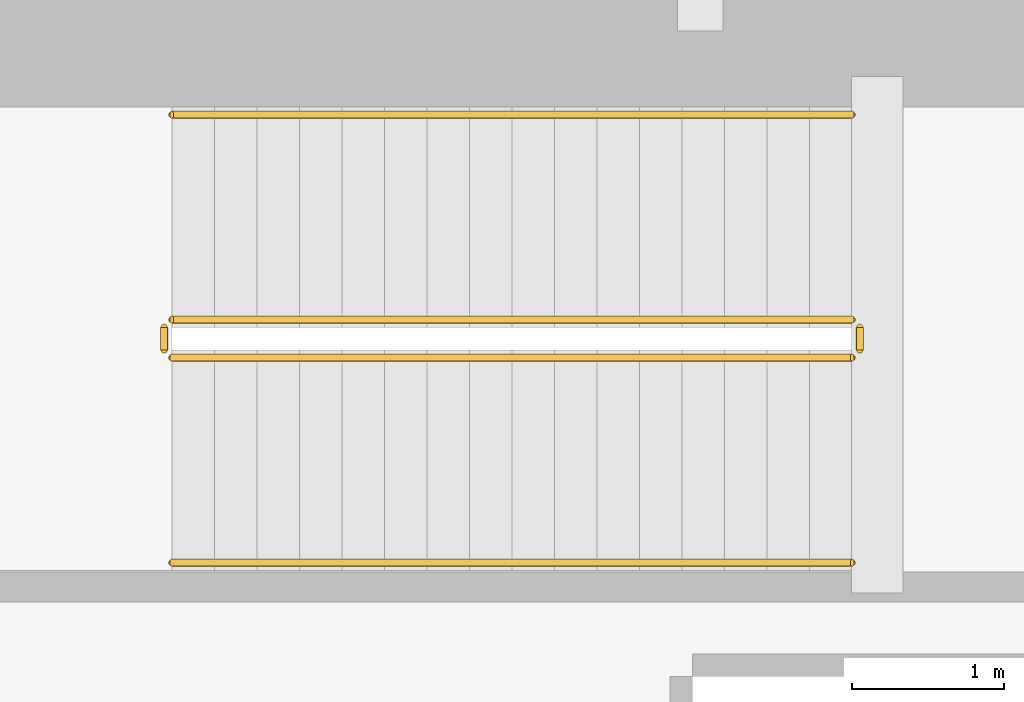
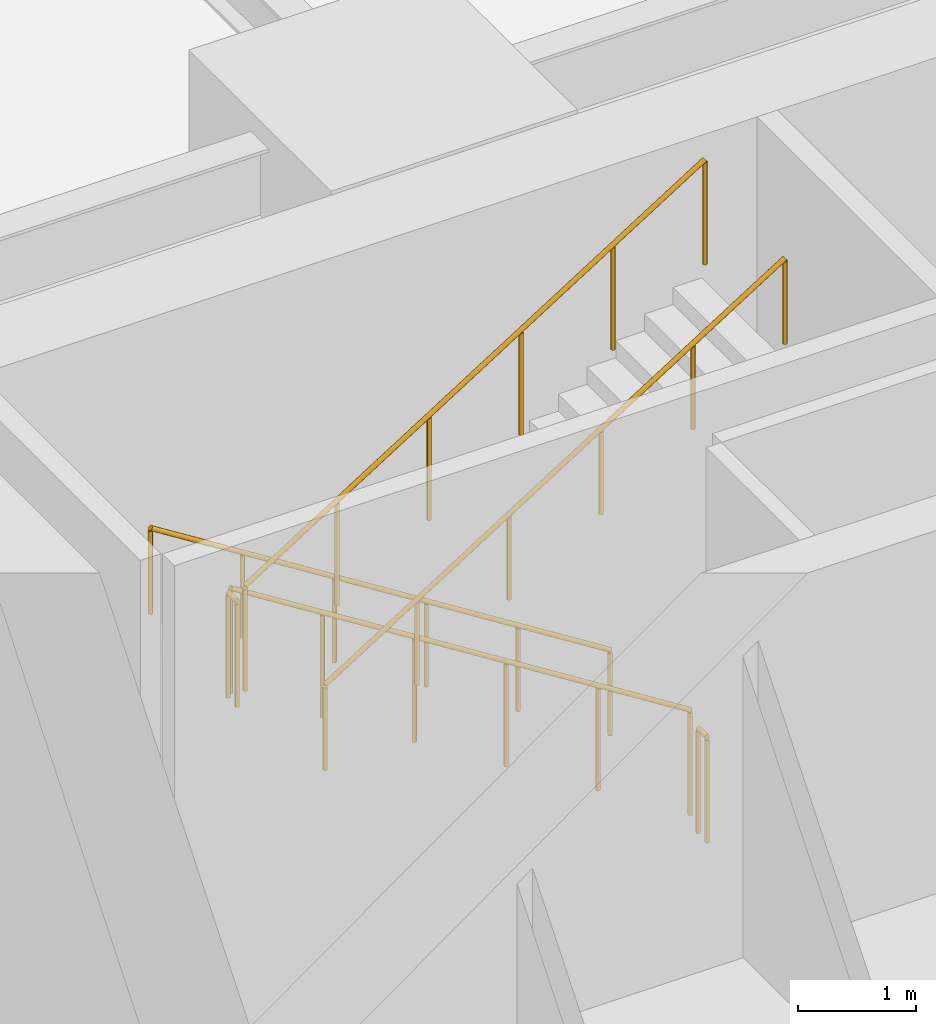
# One storey, part 15 of 17: 6 railings.
"""IFC4 building model written with IfcOpenShell, lengths in metres."""

from ifc_helpers import new_model, si_unit, direction, frame, origin, origin_2d, place, context, subcontext, project, spatial, circle, extrude, material, type_object, element, save


model = new_model("IFC4")

# Units and contexts
model_context = context("Model", 3, precision=1e-05, world=origin(), true_north=direction((0.0, 1.0)))
body_context = subcontext(model_context, "Body", "Model", "MODEL_VIEW")
ifc_project = project(units=[si_unit("LENGTHUNIT", "METRE"), si_unit("AREAUNIT", "SQUARE_METRE"), si_unit("VOLUMEUNIT", "CUBIC_METRE"), si_unit("PLANEANGLEUNIT", "RADIAN"), si_unit("MASSUNIT", "GRAM", prefix="KILO")], contexts=[model_context])

# Site, building, storey
site_placement = place(None, origin())
site = spatial("IfcSite", under=ifc_project, at=site_placement, CompositionType="ELEMENT")
building_placement = place(site_placement, origin())
building = spatial("IfcBuilding", under=site, at=building_placement, Name="Kinhvarn Gate Tower", CompositionType="ELEMENT")
storey_placement = place(building_placement, origin())
storey = spatial("IfcBuildingStorey", under=building, at=storey_placement, Name="L00", CompositionType="ELEMENT", Elevation=0.0)

# Railings
ifc_material = material(Name="Steel S355", Category="steel")
railing_type_1 = type_object("IfcRailingType", Name="RL-ST-GRD", PredefinedType="BALUSTRADE", material=ifc_material)
railing_1_placement = place(storey_placement, frame((12.0, 34.300048828125, 0.176513671875)))
element("IfcRailing", 1, at=railing_1_placement, inside=storey, type_object=railing_type_1, Name="L00 ST2 stair guard 1", PredefinedType="BALUSTRADE", context=body_context, shape_type="SweptSolid", body=[
    extrude(circle(Radius=0.02392578125, at=origin_2d()), frame((0.0, 0.0, 1.076171875), z_axis=(-0.845997938375, 0.0, 0.533186166611), x_axis=(0.0, -1.0, 0.0)), (0.0, 0.0, 1.0), 5.29541015625),
    extrude(circle(Radius=0.02099609375, at=origin_2d()), origin(), (0.0, 0.0, 1.0), 1.052001953125),
    extrude(circle(Radius=0.02099609375, at=origin_2d()), frame((-0.89599609375, 0.0, 0.564697265625)), (0.0, 0.0, 1.0), 1.052001953125),
    extrude(circle(Radius=0.02099609375, at=origin_2d()), frame((-1.7919921875, 0.0, 1.12939453125)), (0.0, 0.0, 1.0), 1.052001953125),
    extrude(circle(Radius=0.02099609375, at=origin_2d()), frame((-2.68798828125, 0.0, 1.694091796875)), (0.0, 0.0, 1.0), 1.052001953125),
    extrude(circle(Radius=0.02099609375, at=origin_2d()), frame((-3.583984375, 0.0, 2.2587890625)), (0.0, 0.0, 1.0), 1.052001953125),
    extrude(circle(Radius=0.02099609375, at=origin_2d()), frame((-4.47998046875, 0.0, 2.823486328125)), (0.0, 0.0, 1.0), 1.052001953125),
])
railing_2_placement = place(storey_placement, frame((7.469970703125, 34.25, 3.0)))
element("IfcRailing", 2, at=railing_2_placement, inside=storey, type_object=railing_type_1, Name="L00 ST2 stair guard 2", PredefinedType="BALUSTRADE", context=body_context, shape_type="SweptSolid", body=[
    extrude(circle(Radius=0.02392578125, at=origin_2d()), frame((0.0, 0.0, 1.076171875), z_axis=(0.0, -1.0, 0.0), x_axis=(1.0, 0.0, 0.0)), (0.0, 0.0, 1.0), 0.14990234375),
    extrude(circle(Radius=0.02099609375, at=origin_2d()), origin(), (0.0, 0.0, 1.0), 1.052001953125),
    extrude(circle(Radius=0.02099609375, at=origin_2d()), frame((0.0, -0.14990234375, 0.0)), (0.0, 0.0, 1.0), 1.052001953125),
])
railing_3_placement = place(storey_placement, frame((7.52001953125, 34.050048828125, 3.176513671875)))
element("IfcRailing", 3, at=railing_3_placement, inside=storey, type_object=railing_type_1, Name="L00 ST2 stair guard 3", PredefinedType="BALUSTRADE", context=body_context, shape_type="SweptSolid", body=[
    extrude(circle(Radius=0.02392578125, at=origin_2d()), frame((0.0, 0.0, 1.076171875), z_axis=(0.845997938375, 0.0, 0.533186166611), x_axis=(0.0, 1.0, 0.0)), (0.0, 0.0, 1.0), 5.29541015625),
    extrude(circle(Radius=0.02099609375, at=origin_2d()), origin(), (0.0, 0.0, 1.0), 1.052001953125),
    extrude(circle(Radius=0.02099609375, at=origin_2d()), frame((0.89599609375, 0.0, 0.564697265625)), (0.0, 0.0, 1.0), 1.052001953125),
    extrude(circle(Radius=0.02099609375, at=origin_2d()), frame((1.7919921875, 0.0, 1.12939453125)), (0.0, 0.0, 1.0), 1.052001953125),
    extrude(circle(Radius=0.02099609375, at=origin_2d()), frame((2.68798828125, 0.0, 1.694091796875)), (0.0, 0.0, 1.0), 1.052001953125),
    extrude(circle(Radius=0.02099609375, at=origin_2d()), frame((3.583984375, 0.0, 2.2587890625)), (0.0, 0.0, 1.0), 1.052001953125),
    extrude(circle(Radius=0.02099609375, at=origin_2d()), frame((4.47998046875, 0.0, 2.823486328125)), (0.0, 0.0, 1.0), 1.052001953125),
])
railing_4_placement = place(storey_placement, frame((12.050048828125, 34.25, 0.0)))
element("IfcRailing", 4, at=railing_4_placement, inside=storey, type_object=railing_type_1, Name="L00 ST2 stair guard 4", PredefinedType="BALUSTRADE", context=body_context, shape_type="SweptSolid", body=[
    extrude(circle(Radius=0.02392578125, at=origin_2d()), frame((0.0, 0.0, 1.076171875), z_axis=(0.0, -1.0, 0.0), x_axis=(1.0, 0.0, 0.0)), (0.0, 0.0, 1.0), 0.14990234375),
    extrude(circle(Radius=0.02099609375, at=origin_2d()), origin(), (0.0, 0.0, 1.0), 1.052001953125),
    extrude(circle(Radius=0.02099609375, at=origin_2d()), frame((0.0, -0.14990234375, 0.0)), (0.0, 0.0, 1.0), 1.052001953125),
])
railing_type_2 = type_object("IfcRailingType", Name="RL-ST-HND", PredefinedType="HANDRAIL", material=ifc_material)
railing_5_placement = place(storey_placement, frame((12.0, 35.64990234375, 0.176513671875)))
element("IfcRailing", 5, at=railing_5_placement, inside=storey, type_object=railing_type_2, Name="L00 ST2 stair handrail 1", PredefinedType="HANDRAIL", context=body_context, shape_type="SweptSolid", body=[
    extrude(circle(Radius=0.02392578125, at=origin_2d()), frame((0.0, 0.0, 0.8759765625), z_axis=(-0.845997938375, 0.0, 0.533186166611), x_axis=(0.0, -1.0, 0.0)), (0.0, 0.0, 1.0), 5.29541015625),
    extrude(circle(Radius=0.02099609375, at=origin_2d()), origin(), (0.0, 0.0, 1.0), 0.851806640625),
    extrude(circle(Radius=0.02099609375, at=origin_2d()), frame((-0.89599609375, 0.0, 0.564697265625)), (0.0, 0.0, 1.0), 0.851806640625),
    extrude(circle(Radius=0.02099609375, at=origin_2d()), frame((-1.7919921875, 0.0, 1.12939453125)), (0.0, 0.0, 1.0), 0.851806640625),
    extrude(circle(Radius=0.02099609375, at=origin_2d()), frame((-2.68798828125, 0.0, 1.694091796875)), (0.0, 0.0, 1.0), 0.851806640625),
    extrude(circle(Radius=0.02099609375, at=origin_2d()), frame((-3.583984375, 0.0, 2.2587890625)), (0.0, 0.0, 1.0), 0.851806640625),
    extrude(circle(Radius=0.02099609375, at=origin_2d()), frame((-4.47998046875, 0.0, 2.823486328125)), (0.0, 0.0, 1.0), 0.851806640625),
])
railing_6_placement = place(storey_placement, frame((7.52001953125, 32.699951171875, 3.176513671875)))
element("IfcRailing", 6, at=railing_6_placement, inside=storey, type_object=railing_type_2, Name="L00 ST2 stair handrail 2", PredefinedType="HANDRAIL", context=body_context, shape_type="SweptSolid", body=[
    extrude(circle(Radius=0.02392578125, at=origin_2d()), frame((0.0, 0.0, 0.8759765625), z_axis=(0.845997938375, 0.0, 0.533186166611), x_axis=(0.0, 1.0, 0.0)), (0.0, 0.0, 1.0), 5.29541015625),
    extrude(circle(Radius=0.02099609375, at=origin_2d()), origin(), (0.0, 0.0, 1.0), 0.851806640625),
    extrude(circle(Radius=0.02099609375, at=origin_2d()), frame((0.89599609375, 0.0, 0.564697265625)), (0.0, 0.0, 1.0), 0.851806640625),
    extrude(circle(Radius=0.02099609375, at=origin_2d()), frame((1.7919921875, 0.0, 1.12939453125)), (0.0, 0.0, 1.0), 0.851806640625),
    extrude(circle(Radius=0.02099609375, at=origin_2d()), frame((2.68798828125, 0.0, 1.694091796875)), (0.0, 0.0, 1.0), 0.851806640625),
    extrude(circle(Radius=0.02099609375, at=origin_2d()), frame((3.583984375, 0.0, 2.2587890625)), (0.0, 0.0, 1.0), 0.851806640625),
    extrude(circle(Radius=0.02099609375, at=origin_2d()), frame((4.47998046875, 0.0, 2.823486328125)), (0.0, 0.0, 1.0), 0.851806640625),
])

save(model, "model.ifc")
